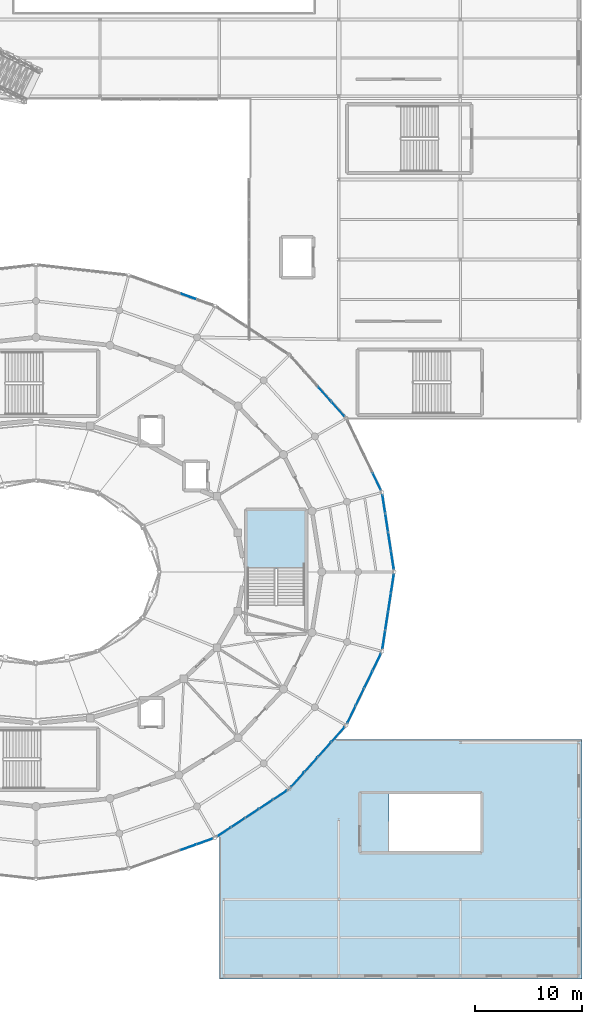
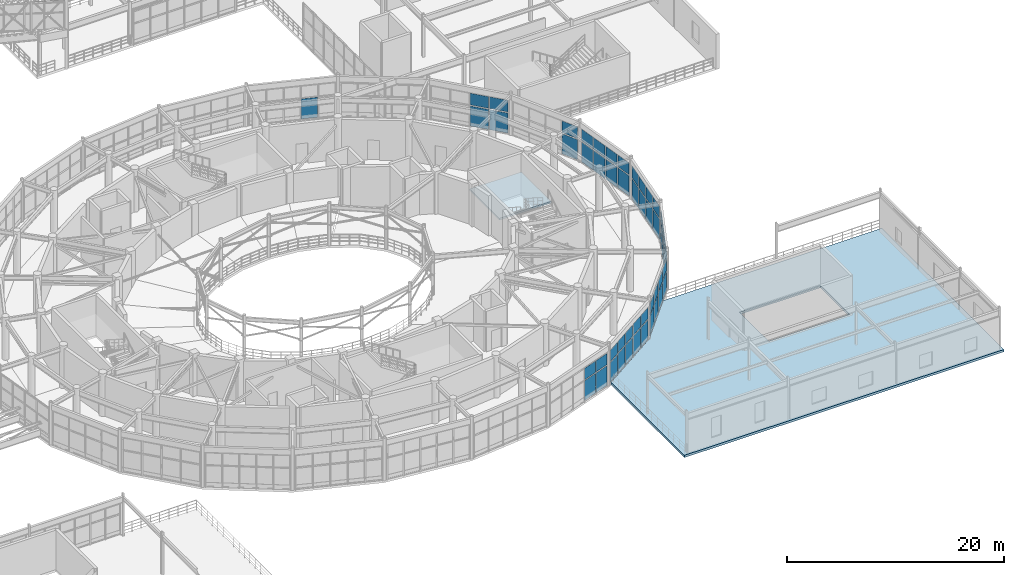
# One storey, part 90 of 144: 53 plates, 2 slabs, 10 elements without a shape of their own.
"""IFC4 building model written with IfcOpenShell, lengths in metres."""

import ifcopenshell
import ifcopenshell.guid

model = None  # the IFC model being written
_history = None  # IfcOwnerHistory: only IFC2X3 demands one
_inside = {}  # id of a spatial element -> (the spatial element, [elements in it])
_under = {}  # id of a project, library or spatial element -> (it, [spatial elements below it])
_declared = {}  # id of a project -> (the project, [libraries it declares])
_typed = {}  # id of a type object -> (the type object, [elements of that type])
_made_of = {}  # id of a material, layer set ... -> (it, [elements and type objects made of it])


def new_model(schema):
    """Start an empty IFC model of exactly this schema.

    Asked for "IFC4X3", IfcOpenShell would pick the latest addendum, in which some entities
    have other attributes; the version numbers below select the first issue.
    IFC2X3 requires an IfcOwnerHistory on every rooted entity: one is made here for all.
    """
    global model, _history
    if schema == "IFC4X3":
        model = ifcopenshell.file(schema_version=(4, 3, 0, 0))
    else:
        model = ifcopenshell.file(schema=schema)
    _inside.clear()
    _under.clear()
    _declared.clear()
    _typed.clear()
    _made_of.clear()
    _history = None
    if model.schema == "IFC2X3":
        org = make("IfcOrganization", Name="unknown")
        user = make(
            "IfcPersonAndOrganization",
            ThePerson=make("IfcPerson", FamilyName="unknown"),
            TheOrganization=org,
        )
        app = make(
            "IfcApplication",
            ApplicationDeveloper=org,
            Version="unknown",
            ApplicationFullName="unknown",
            ApplicationIdentifier="unknown",
        )
        _history = make(
            "IfcOwnerHistory",
            OwningUser=user,
            OwningApplication=app,
            ChangeAction="ADDED",
            CreationDate=0,
        )
    return model


def make(cls, **values):
    """One entity of the class cls with the attributes given. An attribute that is None is left unset."""
    return model.create_entity(
        cls, **{name: value for name, value in values.items() if value is not None}
    )


def rooted(cls, **values):
    """An entity with a GlobalId (a new one), such as an element, a storey or a relation."""
    return make(cls, GlobalId=ifcopenshell.guid.new(), OwnerHistory=_history, **values)


def si_unit(unit_type, name, prefix=None):
    """IfcSIUnit, for example si_unit("LENGTHUNIT", "METRE", prefix="MILLI")."""
    return make("IfcSIUnit", UnitType=unit_type, Prefix=prefix, Name=name)


def assignment(units):
    """IfcUnitAssignment: the units of a project."""
    return None if units is None else make("IfcUnitAssignment", Units=units)


def point(xyz):
    """IfcCartesianPoint."""
    return None if xyz is None else make("IfcCartesianPoint", Coordinates=xyz)


def direction(xyz):
    """IfcDirection."""
    return None if xyz is None else make("IfcDirection", DirectionRatios=xyz)


def frame(location, z_axis=None, x_axis=None):
    """IfcAxis2Placement3D, a coordinate frame: its origin and axes. An axis left out is left unset."""
    return make(
        "IfcAxis2Placement3D",
        Location=point(location),
        Axis=direction(z_axis),
        RefDirection=direction(x_axis),
    )


def frame_2d(location, x_axis=None):
    """IfcAxis2Placement2D, a coordinate frame in the plane: its origin and x axis."""
    return make(
        "IfcAxis2Placement2D", Location=point(location), RefDirection=direction(x_axis)
    )


def origin():
    """The frame at (0, 0, 0) with its axes left unset."""
    return frame((0.0, 0.0, 0.0))


def origin_2d():
    """The frame at (0, 0) in the plane with its x axis left unset."""
    return frame_2d((0.0, 0.0))


def place(relative_to, where):
    """IfcLocalPlacement: puts the frame where relative to a parent placement (None: the world)."""
    return make(
        "IfcLocalPlacement", PlacementRelTo=relative_to, RelativePlacement=where
    )


def context(
    kind, dimensions, precision=None, world=None, true_north=None, identifier=None
):
    """IfcGeometricRepresentationContext, for example the 3D "Model" context."""
    return make(
        "IfcGeometricRepresentationContext",
        ContextIdentifier=identifier,
        ContextType=kind,
        CoordinateSpaceDimension=dimensions,
        Precision=precision,
        WorldCoordinateSystem=world,
        TrueNorth=true_north,
    )


def subcontext(parent, identifier, kind, view, scale=None):
    """IfcGeometricRepresentationSubContext, for example "Body" below "Model"."""
    return make(
        "IfcGeometricRepresentationSubContext",
        ContextIdentifier=identifier,
        ContextType=kind,
        ParentContext=parent,
        TargetScale=scale,
        TargetView=view,
    )


def project(units=None, contexts=None):
    """IfcProject with its units and contexts."""
    return rooted(
        "IfcProject",
        Name="project",
        RepresentationContexts=contexts,
        UnitsInContext=assignment(units),
    )


def spatial(cls, under=None, at=None, **own):
    """A site, building, storey or space (cls), placed at a placement, below another one or the project."""
    s = rooted(cls, ObjectPlacement=at, **own)
    if under is not None:
        _under.setdefault(under.id(), (under, []))[1].append(s)
    return s


def polyline(points):
    """IfcPolyline through the points."""
    return make("IfcPolyline", Points=[point(p) for p in points])


def profile(cls, at=None, kind="AREA", **sizes):
    """A parametric profile (cls). Its sizes go by their IFC names, for example OverallWidth=200.0."""
    return make(cls, ProfileType=kind, Position=at, **sizes)


def rectangle(**sizes):
    """IfcRectangleProfileDef."""
    return profile("IfcRectangleProfileDef", **sizes)


def outline(outer, holes=None, kind="AREA"):
    """IfcArbitraryClosedProfileDef: a profile drawn as a closed curve; with holes, ...WithVoids."""
    if holes is None:
        return make("IfcArbitraryClosedProfileDef", ProfileType=kind, OuterCurve=outer)
    return make(
        "IfcArbitraryProfileDefWithVoids",
        ProfileType=kind,
        OuterCurve=outer,
        InnerCurves=holes,
    )


def extrude(swept, where, along, depth):
    """IfcExtrudedAreaSolid: the profile swept, set in the frame where, extruded along a direction by depth."""
    return make(
        "IfcExtrudedAreaSolid",
        SweptArea=swept,
        Position=where,
        ExtrudedDirection=direction(along),
        Depth=depth,
    )


def shape(context_of_items, identifier, shape_type, items):
    """IfcShapeRepresentation: the items that make up one representation, for example the "Body"."""
    return make(
        "IfcShapeRepresentation",
        ContextOfItems=context_of_items,
        RepresentationIdentifier=identifier,
        RepresentationType=shape_type,
        Items=items,
    )


def material(Name=None, Category=None):
    """IfcMaterial."""
    return make("IfcMaterial", Name=Name, Category=Category)


def layer(
    of_material, thickness, ventilated=None, Name=None, Category=None, Priority=None
):
    """IfcMaterialLayer: one layer of a wall or slab, of a material (None: an air gap)."""
    return make(
        "IfcMaterialLayer",
        Material=of_material,
        LayerThickness=thickness,
        IsVentilated=ventilated,
        Name=Name,
        Category=Category,
        Priority=Priority,
    )


def layer_set(layers, Name=None):
    """IfcMaterialLayerSet."""
    return make("IfcMaterialLayerSet", MaterialLayers=layers, LayerSetName=Name)


def made_of(thing, what):
    """Note that an element or type object is made of a material, layer set ...; save() writes the relation."""
    if what is not None:
        _made_of.setdefault(what.id(), (what, []))[1].append(thing)
    return thing


def type_object(cls, material=None, **own):
    """A type object (cls), such as IfcWallType, which elements share."""
    return made_of(rooted(cls, **own), material)


def element(
    cls,
    number,
    at=None,
    inside=None,
    cuts=None,
    type_object=None,
    material=None,
    context=None,
    identifier="Body",
    shape_type=None,
    held_by="IfcProductDefinitionShape",
    body=None,
    shapes=None,
    **own,
):
    """One element of the class cls, such as IfcWall. Its Tag is "e" and its number.

    at: its placement. inside: the storey or other place that contains it. cuts: it is an
    opening in that element (IfcRelVoidsElement). A single representation is given by context,
    identifier, shape_type and body (its items); several are given by shapes. held_by: the class
    of the entity that holds the representations. save() writes the other relations.
    """
    e = rooted(cls, Tag="e%d" % number, ObjectPlacement=at, **own)
    if body is not None:
        shapes = [shape(context, identifier, shape_type, body)]
    if shapes is not None:
        e.Representation = make(held_by, Representations=shapes)
    if inside is not None:
        _inside.setdefault(inside.id(), (inside, []))[1].append(e)
    if cuts is not None:
        rooted(
            "IfcRelVoidsElement", RelatingBuildingElement=cuts, RelatedOpeningElement=e
        )
    if type_object is not None:
        _typed.setdefault(type_object.id(), (type_object, []))[1].append(e)
    return made_of(e, material)


def aggregate(whole, parts):
    """IfcRelAggregates: a whole, such as a stair, and the parts it consists of."""
    return rooted("IfcRelAggregates", RelatingObject=whole, RelatedObjects=parts)


def save(model, path):
    """Write the relations noted so far, then the file.

    IfcRelAggregates (storeys below a building ...), IfcRelContainedInSpatialStructure (elements
    in a storey), IfcRelDefinesByType, IfcRelAssociatesMaterial and IfcRelDeclares: one each for
    every whole, place, type object, material and project.
    """
    for whole, parts in _under.values():
        aggregate(whole, parts)
    for where, things in _inside.values():
        rooted(
            "IfcRelContainedInSpatialStructure",
            RelatedElements=things,
            RelatingStructure=where,
        )
    for kind, things in _typed.values():
        rooted("IfcRelDefinesByType", RelatedObjects=things, RelatingType=kind)
    for what, things in _made_of.values():
        rooted("IfcRelAssociatesMaterial", RelatedObjects=things, RelatingMaterial=what)
    for by, libraries in _declared.values():
        rooted("IfcRelDeclares", RelatingContext=by, RelatedDefinitions=libraries)
    model.write(path)


model = new_model("IFC4")

# Units and contexts
model_context = context("Model", 3, precision=1e-05, world=origin(), true_north=direction((0.0, 1.0)))
body_context = subcontext(model_context, "Body", "Model", "MODEL_VIEW")
ifc_project = project(units=[si_unit("LENGTHUNIT", "METRE"), si_unit("AREAUNIT", "SQUARE_METRE"), si_unit("VOLUMEUNIT", "CUBIC_METRE"), si_unit("PLANEANGLEUNIT", "RADIAN"), si_unit("MASSUNIT", "GRAM", prefix="KILO")], contexts=[model_context])

# Site, building, storey
site_placement = place(None, origin())
site = spatial("IfcSite", under=ifc_project, at=site_placement, CompositionType="ELEMENT")
building_placement = place(site_placement, origin())
building = spatial("IfcBuilding", under=site, at=building_placement, Name="Cinderbank Siding Concert Hall", CompositionType="ELEMENT")
storey_placement = place(building_placement, frame((0.0, 0.0, 5.39990234375)))
storey = spatial("IfcBuildingStorey", under=building, at=storey_placement, Name="L02", CompositionType="ELEMENT", Elevation=5.39990234375)

# Curtain wall, plates
ifc_material_1 = material(Name="Anodised aluminium alloy 6063-T6", Category="aluminium")
curtain_wall_type_1 = type_object("IfcCurtainWallType", Name="CW-12 Unitised Acoustic Curtain Wall 5800x3500", PredefinedType="NOTDEFINED", material=ifc_material_1)
curtain_wall_1_placement = place(storey_placement, origin())
curtain_wall_1 = element("IfcCurtainWall", 1, at=curtain_wall_1_placement, inside=storey, type_object=curtain_wall_type_1, Name="L02 Curtain Wall CW-12 #24", PredefinedType="NOTDEFINED")
ifc_material_2 = material(Name="Double-glazed laminated acoustic glass", Category="glass")
ifc_layer_1 = layer(ifc_material_2, 0.035888671875)
ifc_layer_set_1 = layer_set([ifc_layer_1], Name="Double-glazed laminated acoustic glass")
plate_type_1 = type_object("IfcPlateType", Name="CP-01 Glazed Curtain Panel 1800x2200", PredefinedType="CURTAIN_PANEL", material=ifc_layer_set_1)
plate_1_placement = place(storey_placement, frame((154.6240234375, 37.64599609375, 0.1201171875), z_axis=(0.0, 0.0, 1.0), x_axis=(0.151815048473, 0.988408918949, 0.0)))
plate_1 = element("IfcPlate", 2, at=plate_1_placement, type_object=plate_type_1, Name="CW-L02-024 Glazed Panel 0-0", PredefinedType="CURTAIN_PANEL", context=body_context, shape_type="SweptSolid", body=[
    extrude(rectangle(XDim=1.671875, YDim=0.035888671875, at=origin_2d()), origin(), (0.0, 0.0, 1.0), 2.26708984375),
])
plate_2_placement = place(storey_placement, frame((154.6240234375, 37.64599609375, 2.50732421875), z_axis=(0.0, 0.0, 1.0), x_axis=(0.151815048473, 0.988408918949, 0.0)))
plate_2 = element("IfcPlate", 3, at=plate_2_placement, type_object=plate_type_1, Name="CW-L02-024 Glazed Panel 0-1", PredefinedType="CURTAIN_PANEL", context=body_context, shape_type="SweptSolid", body=[
    extrude(rectangle(XDim=1.671875, YDim=0.035888671875, at=origin_2d()), origin(), (0.0, 0.0, 1.0), 1.31982421875),
])
plate_3_placement = place(storey_placement, frame((154.89306640625, 39.397216796875, 0.1201171875), z_axis=(0.0, 0.0, 1.0), x_axis=(0.151815048473, 0.988408918949, 0.0)))
plate_3 = element("IfcPlate", 4, at=plate_3_placement, type_object=plate_type_1, Name="CW-L02-024 Glazed Panel 1-0", PredefinedType="CURTAIN_PANEL", context=body_context, shape_type="SweptSolid", body=[
    extrude(rectangle(XDim=1.671875, YDim=0.035888671875, at=origin_2d()), origin(), (0.0, 0.0, 1.0), 2.26708984375),
])
plate_4_placement = place(storey_placement, frame((154.89306640625, 39.397216796875, 2.50732421875), z_axis=(0.0, 0.0, 1.0), x_axis=(0.151815048473, 0.988408918949, 0.0)))
plate_4 = element("IfcPlate", 5, at=plate_4_placement, type_object=plate_type_1, Name="CW-L02-024 Glazed Panel 1-1", PredefinedType="CURTAIN_PANEL", context=body_context, shape_type="SweptSolid", body=[
    extrude(rectangle(XDim=1.671875, YDim=0.035888671875, at=origin_2d()), origin(), (0.0, 0.0, 1.0), 1.31982421875),
])
plate_5_placement = place(storey_placement, frame((155.162109375, 41.148681640625, 0.1201171875), z_axis=(0.0, 0.0, 1.0), x_axis=(0.151815048473, 0.988408918949, 0.0)))
plate_5 = element("IfcPlate", 6, at=plate_5_placement, type_object=plate_type_1, Name="CW-L02-024 Glazed Panel 2-0", PredefinedType="CURTAIN_PANEL", context=body_context, shape_type="SweptSolid", body=[
    extrude(rectangle(XDim=1.671875, YDim=0.035888671875, at=origin_2d()), origin(), (0.0, 0.0, 1.0), 2.26708984375),
])
plate_6_placement = place(storey_placement, frame((155.162109375, 41.148681640625, 2.50732421875), z_axis=(0.0, 0.0, 1.0), x_axis=(0.151815048473, 0.988408918949, 0.0)))
plate_6 = element("IfcPlate", 7, at=plate_6_placement, type_object=plate_type_1, Name="CW-L02-024 Glazed Panel 2-1", PredefinedType="CURTAIN_PANEL", context=body_context, shape_type="SweptSolid", body=[
    extrude(rectangle(XDim=1.671875, YDim=0.035888671875, at=origin_2d()), origin(), (0.0, 0.0, 1.0), 1.31982421875),
])
plate_7_placement = place(storey_placement, frame((155.430908203125, 42.89990234375, 0.1201171875), z_axis=(0.0, 0.0, 1.0), x_axis=(0.151815048473, 0.988408918949, 0.0)))
plate_7 = element("IfcPlate", 8, at=plate_7_placement, type_object=plate_type_1, Name="CW-L02-024 Glazed Panel 3-0", PredefinedType="CURTAIN_PANEL", context=body_context, shape_type="SweptSolid", body=[
    extrude(rectangle(XDim=1.671875, YDim=0.035888671875, at=origin_2d()), origin(), (0.0, 0.0, 1.0), 2.26708984375),
])
plate_8_placement = place(storey_placement, frame((155.430908203125, 42.89990234375, 2.50732421875), z_axis=(0.0, 0.0, 1.0), x_axis=(0.151815048473, 0.988408918949, 0.0)))
plate_8 = element("IfcPlate", 9, at=plate_8_placement, type_object=plate_type_1, Name="CW-L02-024 Glazed Panel 3-1", PredefinedType="CURTAIN_PANEL", context=body_context, shape_type="SweptSolid", body=[
    extrude(rectangle(XDim=1.671875, YDim=0.035888671875, at=origin_2d()), origin(), (0.0, 0.0, 1.0), 1.31982421875),
])
aggregate(curtain_wall_1, [plate_1, plate_2, plate_3, plate_4, plate_5, plate_6, plate_7, plate_8])

curtain_wall_type_2 = type_object("IfcCurtainWallType", Name="CW-01 Unitised Acoustic Curtain Wall 8200x4400", PredefinedType="NOTDEFINED", material=ifc_material_1)
curtain_wall_2_placement = place(storey_placement, origin())
curtain_wall_2 = element("IfcCurtainWall", 10, at=curtain_wall_2_placement, inside=storey, type_object=curtain_wall_type_2, Name="L02 Curtain Wall CW-01 #1", PredefinedType="NOTDEFINED")
ifc_layer_2 = layer(ifc_material_2, 0.035888671875)
ifc_layer_set_2 = layer_set([ifc_layer_2], Name="Double-glazed laminated acoustic glass")
plate_type_2 = type_object("IfcPlateType", Name="CP-02 Glazed Curtain Panel 1800x1900", PredefinedType="CURTAIN_PANEL", material=ifc_layer_set_2)
plate_9_placement = place(storey_placement, frame((155.430908203125, 45.10009765625, 0.1201171875), z_axis=(0.0, 0.0, 1.0), x_axis=(-0.151815048473, 0.988408918949, 0.0)))
plate_9 = element("IfcPlate", 11, at=plate_9_placement, type_object=plate_type_2, Name="CW-L02-001 Glazed Panel 0-0", PredefinedType="CURTAIN_PANEL", context=body_context, shape_type="SweptSolid", body=[
    extrude(rectangle(XDim=1.671875, YDim=0.035888671875, at=origin_2d()), origin(), (0.0, 0.0, 1.0), 2.260986328125),
])
plate_10_placement = place(storey_placement, frame((155.430908203125, 45.10009765625, 2.5009765625), z_axis=(0.0, 0.0, 1.0), x_axis=(-0.151815048473, 0.988408918949, 0.0)))
plate_10 = element("IfcPlate", 12, at=plate_10_placement, type_object=plate_type_2, Name="CW-L02-001 Glazed Panel 0-1", PredefinedType="CURTAIN_PANEL", context=body_context, shape_type="SweptSolid", body=[
    extrude(rectangle(XDim=1.671875, YDim=0.035888671875, at=origin_2d()), origin(), (0.0, 0.0, 1.0), 1.316162109375),
])
plate_11_placement = place(storey_placement, frame((155.162109375, 46.851318359375, 0.1201171875), z_axis=(0.0, 0.0, 1.0), x_axis=(-0.151815048473, 0.988408918949, 0.0)))
plate_11 = element("IfcPlate", 13, at=plate_11_placement, type_object=plate_type_2, Name="CW-L02-001 Glazed Panel 1-0", PredefinedType="CURTAIN_PANEL", context=body_context, shape_type="SweptSolid", body=[
    extrude(rectangle(XDim=1.671875, YDim=0.035888671875, at=origin_2d()), origin(), (0.0, 0.0, 1.0), 2.260986328125),
])
plate_12_placement = place(storey_placement, frame((155.162109375, 46.851318359375, 2.5009765625), z_axis=(0.0, 0.0, 1.0), x_axis=(-0.151815048473, 0.988408918949, 0.0)))
plate_12 = element("IfcPlate", 14, at=plate_12_placement, type_object=plate_type_2, Name="CW-L02-001 Glazed Panel 1-1", PredefinedType="CURTAIN_PANEL", context=body_context, shape_type="SweptSolid", body=[
    extrude(rectangle(XDim=1.671875, YDim=0.035888671875, at=origin_2d()), origin(), (0.0, 0.0, 1.0), 1.316162109375),
])
plate_13_placement = place(storey_placement, frame((154.89306640625, 48.602783203125, 0.1201171875), z_axis=(0.0, 0.0, 1.0), x_axis=(-0.151815048473, 0.988408918949, 0.0)))
plate_13 = element("IfcPlate", 15, at=plate_13_placement, type_object=plate_type_2, Name="CW-L02-001 Glazed Panel 2-0", PredefinedType="CURTAIN_PANEL", context=body_context, shape_type="SweptSolid", body=[
    extrude(rectangle(XDim=1.671875, YDim=0.035888671875, at=origin_2d()), origin(), (0.0, 0.0, 1.0), 2.260986328125),
])
plate_14_placement = place(storey_placement, frame((154.89306640625, 48.602783203125, 2.5009765625), z_axis=(0.0, 0.0, 1.0), x_axis=(-0.151815048473, 0.988408918949, 0.0)))
plate_14 = element("IfcPlate", 16, at=plate_14_placement, type_object=plate_type_2, Name="CW-L02-001 Glazed Panel 2-1", PredefinedType="CURTAIN_PANEL", context=body_context, shape_type="SweptSolid", body=[
    extrude(rectangle(XDim=1.671875, YDim=0.035888671875, at=origin_2d()), origin(), (0.0, 0.0, 1.0), 1.316162109375),
])
plate_15_placement = place(storey_placement, frame((154.6240234375, 50.35400390625, 0.1201171875), z_axis=(0.0, 0.0, 1.0), x_axis=(-0.151815048473, 0.988408918949, 0.0)))
plate_15 = element("IfcPlate", 17, at=plate_15_placement, type_object=plate_type_2, Name="CW-L02-001 Glazed Panel 3-0", PredefinedType="CURTAIN_PANEL", context=body_context, shape_type="SweptSolid", body=[
    extrude(rectangle(XDim=1.671875, YDim=0.035888671875, at=origin_2d()), origin(), (0.0, 0.0, 1.0), 2.260986328125),
])
plate_16_placement = place(storey_placement, frame((154.6240234375, 50.35400390625, 2.5009765625), z_axis=(0.0, 0.0, 1.0), x_axis=(-0.151815048473, 0.988408918949, 0.0)))
plate_16 = element("IfcPlate", 18, at=plate_16_placement, type_object=plate_type_2, Name="CW-L02-001 Glazed Panel 3-1", PredefinedType="CURTAIN_PANEL", context=body_context, shape_type="SweptSolid", body=[
    extrude(rectangle(XDim=1.671875, YDim=0.035888671875, at=origin_2d()), origin(), (0.0, 0.0, 1.0), 1.316162109375),
])
aggregate(curtain_wall_2, [plate_9, plate_10, plate_11, plate_12, plate_13, plate_14, plate_15, plate_16])

curtain_wall_type_3 = type_object("IfcCurtainWallType", Name="CW-02 Unitised Acoustic Curtain Wall 7800x4400", PredefinedType="NOTDEFINED", material=ifc_material_1)
curtain_wall_3_placement = place(storey_placement, origin())
curtain_wall_3 = element("IfcCurtainWall", 19, at=curtain_wall_3_placement, inside=storey, type_object=curtain_wall_type_3, Name="L02 Curtain Wall CW-02 #2", PredefinedType="NOTDEFINED")
ifc_layer_3 = layer(ifc_material_2, 0.035888671875)
ifc_layer_set_3 = layer_set([ifc_layer_3], Name="Double-glazed laminated acoustic glass")
plate_type_3 = type_object("IfcPlateType", Name="CP-03 Glazed Curtain Panel 1600x2100", PredefinedType="CURTAIN_PANEL", material=ifc_layer_set_3)
plate_17_placement = place(storey_placement, frame((153.96142578125, 52.4755859375, 0.1201171875), z_axis=(0.0, 0.0, 1.0), x_axis=(-0.435102109714, 0.900381116041, 0.0)))
plate_17 = element("IfcPlate", 20, at=plate_17_placement, type_object=plate_type_3, Name="CW-L02-002 Glazed Panel 0-0", PredefinedType="CURTAIN_PANEL", context=body_context, shape_type="SweptSolid", body=[
    extrude(rectangle(XDim=1.715087890625, YDim=0.035888671875, at=origin_2d()), origin(), (0.0, 0.0, 1.0), 2.260986328125),
])
plate_18_placement = place(storey_placement, frame((153.96142578125, 52.4755859375, 2.5009765625), z_axis=(0.0, 0.0, 1.0), x_axis=(-0.435102109714, 0.900381116041, 0.0)))
plate_18 = element("IfcPlate", 21, at=plate_18_placement, type_object=plate_type_3, Name="CW-L02-002 Glazed Panel 0-1", PredefinedType="CURTAIN_PANEL", context=body_context, shape_type="SweptSolid", body=[
    extrude(rectangle(XDim=1.715087890625, YDim=0.035888671875, at=origin_2d()), origin(), (0.0, 0.0, 1.0), 1.316162109375),
])
aggregate(curtain_wall_3, [plate_17, plate_18])

curtain_wall_type_4 = type_object("IfcCurtainWallType", Name="CW-03 Unitised Acoustic Curtain Wall 7400x4400", PredefinedType="NOTDEFINED", material=ifc_material_1)
curtain_wall_4_placement = place(storey_placement, origin())
curtain_wall_4 = element("IfcCurtainWall", 22, at=curtain_wall_4_placement, inside=storey, type_object=curtain_wall_type_4, Name="L02 Curtain Wall CW-03 #3", PredefinedType="NOTDEFINED")
ifc_layer_4 = layer(ifc_material_2, 0.031982421875)
ifc_layer_set_4 = layer_set([ifc_layer_4], Name="Double-glazed laminated acoustic glass")
plate_type_4 = type_object("IfcPlateType", Name="CP-04 Glazed Curtain Panel 1400x2000", PredefinedType="CURTAIN_PANEL", material=ifc_layer_set_4)
plate_19_placement = place(storey_placement, frame((150.3173828125, 59.2724609375, 0.1201171875), z_axis=(0.0, 0.0, 1.0), x_axis=(-0.666993465338, 0.745063565877, 0.0)))
plate_19 = element("IfcPlate", 23, at=plate_19_placement, type_object=plate_type_4, Name="CW-L02-003 Glazed Panel 0-0", PredefinedType="CURTAIN_PANEL", context=body_context, shape_type="SweptSolid", body=[
    extrude(rectangle(XDim=1.787841796875, YDim=0.035888671875, at=origin_2d()), origin(), (0.0, 0.0, 1.0), 2.260986328125),
])
plate_20_placement = place(storey_placement, frame((150.3173828125, 59.2724609375, 2.5009765625), z_axis=(0.0, 0.0, 1.0), x_axis=(-0.666993465338, 0.745063565877, 0.0)))
plate_20 = element("IfcPlate", 24, at=plate_20_placement, type_object=plate_type_4, Name="CW-L02-003 Glazed Panel 0-1", PredefinedType="CURTAIN_PANEL", context=body_context, shape_type="SweptSolid", body=[
    extrude(rectangle(XDim=1.787841796875, YDim=0.035888671875, at=origin_2d()), origin(), (0.0, 0.0, 1.0), 1.316162109375),
])
plate_21_placement = place(storey_placement, frame((149.058349609375, 60.678955078125, 0.1201171875), z_axis=(0.0, 0.0, 1.0), x_axis=(-0.666993465338, 0.745063565877, 0.0)))
plate_21 = element("IfcPlate", 25, at=plate_21_placement, type_object=plate_type_4, Name="CW-L02-003 Glazed Panel 1-0", PredefinedType="CURTAIN_PANEL", context=body_context, shape_type="SweptSolid", body=[
    extrude(rectangle(XDim=1.787841796875, YDim=0.035888671875, at=origin_2d()), origin(), (0.0, 0.0, 1.0), 2.260986328125),
])
plate_22_placement = place(storey_placement, frame((149.058349609375, 60.678955078125, 2.5009765625), z_axis=(0.0, 0.0, 1.0), x_axis=(-0.666993465338, 0.745063565877, 0.0)))
plate_22 = element("IfcPlate", 26, at=plate_22_placement, type_object=plate_type_4, Name="CW-L02-003 Glazed Panel 1-1", PredefinedType="CURTAIN_PANEL", context=body_context, shape_type="SweptSolid", body=[
    extrude(rectangle(XDim=1.787841796875, YDim=0.035888671875, at=origin_2d()), origin(), (0.0, 0.0, 1.0), 1.316162109375),
])
aggregate(curtain_wall_4, [plate_19, plate_20, plate_21, plate_22])

curtain_wall_type_5 = type_object("IfcCurtainWallType", Name="CW-08 Unitised Acoustic Curtain Wall 6400x3800", PredefinedType="NOTDEFINED", material=ifc_material_1)
curtain_wall_5_placement = place(storey_placement, origin())
curtain_wall_5 = element("IfcCurtainWall", 27, at=curtain_wall_5_placement, inside=storey, type_object=curtain_wall_type_5, Name="L02 Curtain Wall CW-08 #20", PredefinedType="NOTDEFINED")
ifc_layer_5 = layer(ifc_material_2, 0.031982421875)
ifc_layer_set_5 = layer_set([ifc_layer_5], Name="Double-glazed laminated acoustic glass")
plate_type_5 = type_object("IfcPlateType", Name="CP-05 Glazed Curtain Panel 1200x1800", PredefinedType="CURTAIN_PANEL", material=ifc_layer_set_5)
plate_23_placement = place(storey_placement, frame((136.283203125, 18.1650390625, 0.1201171875), z_axis=(0.0, 0.0, 1.0), x_axis=(0.942365662238, 0.334584755532, 0.0)))
plate_23 = element("IfcPlate", 28, at=plate_23_placement, type_object=plate_type_5, Name="CW-L02-020 Glazed Panel 3-0", PredefinedType="CURTAIN_PANEL", context=body_context, shape_type="SweptSolid", body=[
    extrude(rectangle(XDim=1.529052734375, YDim=0.035888671875, at=origin_2d()), origin(), (0.0, 0.0, 1.0), 2.198974609375),
])
plate_24_placement = place(storey_placement, frame((136.283203125, 18.1650390625, 2.43896484375), z_axis=(0.0, 0.0, 1.0), x_axis=(0.942365662238, 0.334584755532, 0.0)))
plate_24 = element("IfcPlate", 29, at=plate_24_placement, type_object=plate_type_5, Name="CW-L02-020 Glazed Panel 3-1", PredefinedType="CURTAIN_PANEL", context=body_context, shape_type="SweptSolid", body=[
    extrude(rectangle(XDim=1.529052734375, YDim=0.035888671875, at=origin_2d()), origin(), (0.0, 0.0, 1.0), 1.278076171875),
])
plate_25_placement = place(storey_placement, frame((137.818603515625, 18.7099609375, 0.1201171875), z_axis=(0.0, 0.0, 1.0), x_axis=(0.942365662238, 0.334584755532, 0.0)))
plate_25 = element("IfcPlate", 30, at=plate_25_placement, type_object=plate_type_5, Name="CW-L02-020 Glazed Panel 4-0", PredefinedType="CURTAIN_PANEL", context=body_context, shape_type="SweptSolid", body=[
    extrude(rectangle(XDim=1.529052734375, YDim=0.035888671875, at=origin_2d()), origin(), (0.0, 0.0, 1.0), 2.198974609375),
])
plate_26_placement = place(storey_placement, frame((137.818603515625, 18.7099609375, 2.43896484375), z_axis=(0.0, 0.0, 1.0), x_axis=(0.942365662238, 0.334584755532, 0.0)))
plate_26 = element("IfcPlate", 31, at=plate_26_placement, type_object=plate_type_5, Name="CW-L02-020 Glazed Panel 4-1", PredefinedType="CURTAIN_PANEL", context=body_context, shape_type="SweptSolid", body=[
    extrude(rectangle(XDim=1.529052734375, YDim=0.035888671875, at=origin_2d()), origin(), (0.0, 0.0, 1.0), 1.278076171875),
])
aggregate(curtain_wall_5, [plate_23, plate_24, plate_25, plate_26])

# Curtain wall, plate
curtain_wall_type_6 = type_object("IfcCurtainWallType", Name="CW-05 Unitised Acoustic Curtain Wall 8200x3800", PredefinedType="NOTDEFINED", material=ifc_material_1)
curtain_wall_6_placement = place(storey_placement, origin())
curtain_wall_6 = element("IfcCurtainWall", 32, at=curtain_wall_6_placement, inside=storey, type_object=curtain_wall_type_6, Name="L02 Curtain Wall CW-05 #5", PredefinedType="NOTDEFINED")
ifc_layer_6 = layer(ifc_material_2, 0.0380859375)
ifc_layer_set_6 = layer_set([ifc_layer_6], Name="Double-glazed laminated acoustic glass")
plate_type_6 = type_object("IfcPlateType", Name="CP-06 Glazed Curtain Panel 2100x1600", PredefinedType="CURTAIN_PANEL", material=ifc_layer_set_6)
plate_27_placement = place(storey_placement, frame((136.283203125, 69.8349609375, 0.1201171875), z_axis=(0.0, 0.0, 1.0), x_axis=(-0.942365662238, 0.334584755532, 0.0)))
plate_27 = element("IfcPlate", 33, at=plate_27_placement, type_object=plate_type_6, Name="CW-L02-005 Glazed Panel 1-0", PredefinedType="CURTAIN_PANEL", context=body_context, shape_type="SweptSolid", body=[
    extrude(rectangle(XDim=1.529052734375, YDim=0.035888671875, at=origin_2d()), origin(), (0.0, 0.0, 1.0), 2.260986328125),
])
aggregate(curtain_wall_6, [plate_27])

# Curtain wall, plates
curtain_wall_type_7 = type_object("IfcCurtainWallType", Name="CW-09 Unitised Acoustic Curtain Wall 8000x3500", PredefinedType="NOTDEFINED", material=ifc_material_1)
curtain_wall_7_placement = place(storey_placement, origin())
curtain_wall_7 = element("IfcCurtainWall", 34, at=curtain_wall_7_placement, inside=storey, type_object=curtain_wall_type_7, Name="L02 Curtain Wall CW-09 #21", PredefinedType="NOTDEFINED")
plate_28_placement = place(storey_placement, frame((139.647705078125, 19.615966796875, 0.1201171875), z_axis=(0.0, 0.0, 1.0), x_axis=(0.835491932304, 0.549502712509, 0.0)))
plate_28 = element("IfcPlate", 35, at=plate_28_placement, type_object=plate_type_6, Name="CW-L02-021 Glazed Panel 0-0", PredefinedType="CURTAIN_PANEL", context=body_context, shape_type="SweptSolid", body=[
    extrude(rectangle(XDim=1.47509765625, YDim=0.035888671875, at=origin_2d()), origin(), (0.0, 0.0, 1.0), 2.198974609375),
])
plate_29_placement = place(storey_placement, frame((139.647705078125, 19.615966796875, 2.43896484375), z_axis=(0.0, 0.0, 1.0), x_axis=(0.835491932304, 0.549502712509, 0.0)))
plate_29 = element("IfcPlate", 36, at=plate_29_placement, type_object=plate_type_6, Name="CW-L02-021 Glazed Panel 0-1", PredefinedType="CURTAIN_PANEL", context=body_context, shape_type="SweptSolid", body=[
    extrude(rectangle(XDim=1.47509765625, YDim=0.035888671875, at=origin_2d()), origin(), (0.0, 0.0, 1.0), 1.278076171875),
])
plate_30_placement = place(storey_placement, frame((140.96337890625, 20.4814453125, 0.1201171875), z_axis=(0.0, 0.0, 1.0), x_axis=(0.835491932304, 0.549502712509, 0.0)))
plate_30 = element("IfcPlate", 37, at=plate_30_placement, type_object=plate_type_6, Name="CW-L02-021 Glazed Panel 1-0", PredefinedType="CURTAIN_PANEL", context=body_context, shape_type="SweptSolid", body=[
    extrude(rectangle(XDim=1.47509765625, YDim=0.035888671875, at=origin_2d()), origin(), (0.0, 0.0, 1.0), 2.198974609375),
])
plate_31_placement = place(storey_placement, frame((140.96337890625, 20.4814453125, 2.43896484375), z_axis=(0.0, 0.0, 1.0), x_axis=(0.835491932304, 0.549502712509, 0.0)))
plate_31 = element("IfcPlate", 38, at=plate_31_placement, type_object=plate_type_6, Name="CW-L02-021 Glazed Panel 1-1", PredefinedType="CURTAIN_PANEL", context=body_context, shape_type="SweptSolid", body=[
    extrude(rectangle(XDim=1.47509765625, YDim=0.035888671875, at=origin_2d()), origin(), (0.0, 0.0, 1.0), 1.278076171875),
])
plate_32_placement = place(storey_placement, frame((142.279296875, 21.346923828125, 0.1201171875), z_axis=(0.0, 0.0, 1.0), x_axis=(0.835491932304, 0.549502712509, 0.0)))
plate_32 = element("IfcPlate", 39, at=plate_32_placement, type_object=plate_type_6, Name="CW-L02-021 Glazed Panel 2-0", PredefinedType="CURTAIN_PANEL", context=body_context, shape_type="SweptSolid", body=[
    extrude(rectangle(XDim=1.47509765625, YDim=0.035888671875, at=origin_2d()), origin(), (0.0, 0.0, 1.0), 2.198974609375),
])
plate_33_placement = place(storey_placement, frame((142.279296875, 21.346923828125, 2.43896484375), z_axis=(0.0, 0.0, 1.0), x_axis=(0.835491932304, 0.549502712509, 0.0)))
plate_33 = element("IfcPlate", 40, at=plate_33_placement, type_object=plate_type_6, Name="CW-L02-021 Glazed Panel 2-1", PredefinedType="CURTAIN_PANEL", context=body_context, shape_type="SweptSolid", body=[
    extrude(rectangle(XDim=1.47509765625, YDim=0.035888671875, at=origin_2d()), origin(), (0.0, 0.0, 1.0), 1.278076171875),
])
plate_34_placement = place(storey_placement, frame((143.59521484375, 22.21240234375, 0.1201171875), z_axis=(0.0, 0.0, 1.0), x_axis=(0.835491932304, 0.549502712509, 0.0)))
plate_34 = element("IfcPlate", 41, at=plate_34_placement, type_object=plate_type_6, Name="CW-L02-021 Glazed Panel 3-0", PredefinedType="CURTAIN_PANEL", context=body_context, shape_type="SweptSolid", body=[
    extrude(rectangle(XDim=1.47509765625, YDim=0.035888671875, at=origin_2d()), origin(), (0.0, 0.0, 1.0), 2.198974609375),
])
plate_35_placement = place(storey_placement, frame((143.59521484375, 22.21240234375, 2.43896484375), z_axis=(0.0, 0.0, 1.0), x_axis=(0.835491932304, 0.549502712509, 0.0)))
plate_35 = element("IfcPlate", 42, at=plate_35_placement, type_object=plate_type_6, Name="CW-L02-021 Glazed Panel 3-1", PredefinedType="CURTAIN_PANEL", context=body_context, shape_type="SweptSolid", body=[
    extrude(rectangle(XDim=1.47509765625, YDim=0.035888671875, at=origin_2d()), origin(), (0.0, 0.0, 1.0), 1.278076171875),
])
plate_36_placement = place(storey_placement, frame((144.9111328125, 23.077880859375, 0.1201171875), z_axis=(0.0, 0.0, 1.0), x_axis=(0.835491932304, 0.549502712509, 0.0)))
plate_36 = element("IfcPlate", 43, at=plate_36_placement, type_object=plate_type_6, Name="CW-L02-021 Glazed Panel 4-0", PredefinedType="CURTAIN_PANEL", context=body_context, shape_type="SweptSolid", body=[
    extrude(rectangle(XDim=1.47509765625, YDim=0.035888671875, at=origin_2d()), origin(), (0.0, 0.0, 1.0), 2.198974609375),
])
plate_37_placement = place(storey_placement, frame((144.9111328125, 23.077880859375, 2.43896484375), z_axis=(0.0, 0.0, 1.0), x_axis=(0.835491932304, 0.549502712509, 0.0)))
plate_37 = element("IfcPlate", 44, at=plate_37_placement, type_object=plate_type_6, Name="CW-L02-021 Glazed Panel 4-1", PredefinedType="CURTAIN_PANEL", context=body_context, shape_type="SweptSolid", body=[
    extrude(rectangle(XDim=1.47509765625, YDim=0.035888671875, at=origin_2d()), origin(), (0.0, 0.0, 1.0), 1.278076171875),
])
aggregate(curtain_wall_7, [plate_28, plate_29, plate_30, plate_31, plate_32, plate_33, plate_34, plate_35, plate_36, plate_37])

curtain_wall_type_8 = type_object("IfcCurtainWallType", Name="CW-10 Unitised Acoustic Curtain Wall 7200x3500", PredefinedType="NOTDEFINED", material=ifc_material_1)
curtain_wall_8_placement = place(storey_placement, origin())
curtain_wall_8 = element("IfcCurtainWall", 45, at=curtain_wall_8_placement, inside=storey, type_object=curtain_wall_type_8, Name="L02 Curtain Wall CW-10 #22", PredefinedType="NOTDEFINED")
ifc_layer_7 = layer(ifc_material_2, 0.033935546875)
ifc_layer_set_7 = layer_set([ifc_layer_7], Name="Double-glazed laminated acoustic glass")
plate_type_7 = type_object("IfcPlateType", Name="CP-07 Glazed Curtain Panel 1500x1750", PredefinedType="CURTAIN_PANEL", material=ifc_layer_set_7)
plate_38_placement = place(storey_placement, frame((146.539794921875, 24.5078125, 0.1201171875), z_axis=(0.0, 0.0, 1.0), x_axis=(0.666993465338, 0.745063565877, 0.0)))
plate_38 = element("IfcPlate", 46, at=plate_38_placement, type_object=plate_type_7, Name="CW-L02-022 Glazed Panel 0-0", PredefinedType="CURTAIN_PANEL", context=body_context, shape_type="SweptSolid", body=[
    extrude(rectangle(XDim=1.787841796875, YDim=0.035888671875, at=origin_2d()), origin(), (0.0, 0.0, 1.0), 2.198974609375),
])
plate_39_placement = place(storey_placement, frame((146.539794921875, 24.5078125, 2.43896484375), z_axis=(0.0, 0.0, 1.0), x_axis=(0.666993465338, 0.745063565877, 0.0)))
plate_39 = element("IfcPlate", 47, at=plate_39_placement, type_object=plate_type_7, Name="CW-L02-022 Glazed Panel 0-1", PredefinedType="CURTAIN_PANEL", context=body_context, shape_type="SweptSolid", body=[
    extrude(rectangle(XDim=1.787841796875, YDim=0.035888671875, at=origin_2d()), origin(), (0.0, 0.0, 1.0), 1.278076171875),
])
plate_40_placement = place(storey_placement, frame((147.799072265625, 25.914306640625, 0.1201171875), z_axis=(0.0, 0.0, 1.0), x_axis=(0.666993465338, 0.745063565877, 0.0)))
plate_40 = element("IfcPlate", 48, at=plate_40_placement, type_object=plate_type_7, Name="CW-L02-022 Glazed Panel 1-0", PredefinedType="CURTAIN_PANEL", context=body_context, shape_type="SweptSolid", body=[
    extrude(rectangle(XDim=1.787841796875, YDim=0.035888671875, at=origin_2d()), origin(), (0.0, 0.0, 1.0), 2.198974609375),
])
plate_41_placement = place(storey_placement, frame((147.799072265625, 25.914306640625, 2.43896484375), z_axis=(0.0, 0.0, 1.0), x_axis=(0.666993465338, 0.745063565877, 0.0)))
plate_41 = element("IfcPlate", 49, at=plate_41_placement, type_object=plate_type_7, Name="CW-L02-022 Glazed Panel 1-1", PredefinedType="CURTAIN_PANEL", context=body_context, shape_type="SweptSolid", body=[
    extrude(rectangle(XDim=1.787841796875, YDim=0.035888671875, at=origin_2d()), origin(), (0.0, 0.0, 1.0), 1.278076171875),
])
plate_42_placement = place(storey_placement, frame((149.058349609375, 27.321044921875, 0.1201171875), z_axis=(0.0, 0.0, 1.0), x_axis=(0.666993465338, 0.745063565877, 0.0)))
plate_42 = element("IfcPlate", 50, at=plate_42_placement, type_object=plate_type_7, Name="CW-L02-022 Glazed Panel 2-0", PredefinedType="CURTAIN_PANEL", context=body_context, shape_type="SweptSolid", body=[
    extrude(rectangle(XDim=1.787841796875, YDim=0.035888671875, at=origin_2d()), origin(), (0.0, 0.0, 1.0), 2.198974609375),
])
plate_43_placement = place(storey_placement, frame((149.058349609375, 27.321044921875, 2.43896484375), z_axis=(0.0, 0.0, 1.0), x_axis=(0.666993465338, 0.745063565877, 0.0)))
plate_43 = element("IfcPlate", 51, at=plate_43_placement, type_object=plate_type_7, Name="CW-L02-022 Glazed Panel 2-1", PredefinedType="CURTAIN_PANEL", context=body_context, shape_type="SweptSolid", body=[
    extrude(rectangle(XDim=1.787841796875, YDim=0.035888671875, at=origin_2d()), origin(), (0.0, 0.0, 1.0), 1.278076171875),
])
plate_44_placement = place(storey_placement, frame((150.3173828125, 28.7275390625, 0.1201171875), z_axis=(0.0, 0.0, 1.0), x_axis=(0.666993465338, 0.745063565877, 0.0)))
plate_44 = element("IfcPlate", 52, at=plate_44_placement, type_object=plate_type_7, Name="CW-L02-022 Glazed Panel 3-0", PredefinedType="CURTAIN_PANEL", context=body_context, shape_type="SweptSolid", body=[
    extrude(rectangle(XDim=1.787841796875, YDim=0.035888671875, at=origin_2d()), origin(), (0.0, 0.0, 1.0), 2.198974609375),
])
plate_45_placement = place(storey_placement, frame((150.3173828125, 28.7275390625, 2.43896484375), z_axis=(0.0, 0.0, 1.0), x_axis=(0.666993465338, 0.745063565877, 0.0)))
plate_45 = element("IfcPlate", 53, at=plate_45_placement, type_object=plate_type_7, Name="CW-L02-022 Glazed Panel 3-1", PredefinedType="CURTAIN_PANEL", context=body_context, shape_type="SweptSolid", body=[
    extrude(rectangle(XDim=1.787841796875, YDim=0.035888671875, at=origin_2d()), origin(), (0.0, 0.0, 1.0), 1.278076171875),
])
aggregate(curtain_wall_8, [plate_38, plate_39, plate_40, plate_41, plate_42, plate_43, plate_44, plate_45])

curtain_wall_type_9 = type_object("IfcCurtainWallType", Name="CW-11 Unitised Acoustic Curtain Wall 6600x3500", PredefinedType="NOTDEFINED", material=ifc_material_1)
curtain_wall_9_placement = place(storey_placement, origin())
curtain_wall_9 = element("IfcCurtainWall", 54, at=curtain_wall_9_placement, inside=storey, type_object=curtain_wall_type_9, Name="L02 Curtain Wall CW-11 #23", PredefinedType="NOTDEFINED")
ifc_layer_8 = layer(ifc_material_2, 0.033935546875)
ifc_layer_set_8 = layer_set([ifc_layer_8], Name="Double-glazed laminated acoustic glass")
plate_type_8 = type_object("IfcPlateType", Name="CP-08 Glazed Curtain Panel 1700x1550", PredefinedType="CURTAIN_PANEL", material=ifc_layer_set_8)
plate_46_placement = place(storey_placement, frame((151.592041015625, 30.62158203125, 0.1201171875), z_axis=(0.0, 0.0, 1.0), x_axis=(0.435102109714, 0.900381116041, 0.0)))
plate_46 = element("IfcPlate", 55, at=plate_46_placement, type_object=plate_type_8, Name="CW-L02-023 Glazed Panel 0-0", PredefinedType="CURTAIN_PANEL", context=body_context, shape_type="SweptSolid", body=[
    extrude(rectangle(XDim=1.715087890625, YDim=0.035888671875, at=origin_2d()), origin(), (0.0, 0.0, 1.0), 2.198974609375),
])
plate_47_placement = place(storey_placement, frame((151.592041015625, 30.62158203125, 2.43896484375), z_axis=(0.0, 0.0, 1.0), x_axis=(0.435102109714, 0.900381116041, 0.0)))
plate_47 = element("IfcPlate", 56, at=plate_47_placement, type_object=plate_type_8, Name="CW-L02-023 Glazed Panel 0-1", PredefinedType="CURTAIN_PANEL", context=body_context, shape_type="SweptSolid", body=[
    extrude(rectangle(XDim=1.715087890625, YDim=0.035888671875, at=origin_2d()), origin(), (0.0, 0.0, 1.0), 1.278076171875),
])
plate_48_placement = place(storey_placement, frame((152.3818359375, 32.255859375, 0.1201171875), z_axis=(0.0, 0.0, 1.0), x_axis=(0.435102109714, 0.900381116041, 0.0)))
plate_48 = element("IfcPlate", 57, at=plate_48_placement, type_object=plate_type_8, Name="CW-L02-023 Glazed Panel 1-0", PredefinedType="CURTAIN_PANEL", context=body_context, shape_type="SweptSolid", body=[
    extrude(rectangle(XDim=1.715087890625, YDim=0.035888671875, at=origin_2d()), origin(), (0.0, 0.0, 1.0), 2.198974609375),
])
plate_49_placement = place(storey_placement, frame((152.3818359375, 32.255859375, 2.43896484375), z_axis=(0.0, 0.0, 1.0), x_axis=(0.435102109714, 0.900381116041, 0.0)))
plate_49 = element("IfcPlate", 58, at=plate_49_placement, type_object=plate_type_8, Name="CW-L02-023 Glazed Panel 1-1", PredefinedType="CURTAIN_PANEL", context=body_context, shape_type="SweptSolid", body=[
    extrude(rectangle(XDim=1.715087890625, YDim=0.035888671875, at=origin_2d()), origin(), (0.0, 0.0, 1.0), 1.278076171875),
])
plate_50_placement = place(storey_placement, frame((153.171630859375, 33.89013671875, 0.1201171875), z_axis=(0.0, 0.0, 1.0), x_axis=(0.435102109714, 0.900381116041, 0.0)))
plate_50 = element("IfcPlate", 59, at=plate_50_placement, type_object=plate_type_8, Name="CW-L02-023 Glazed Panel 2-0", PredefinedType="CURTAIN_PANEL", context=body_context, shape_type="SweptSolid", body=[
    extrude(rectangle(XDim=1.715087890625, YDim=0.035888671875, at=origin_2d()), origin(), (0.0, 0.0, 1.0), 2.198974609375),
])
plate_51_placement = place(storey_placement, frame((153.171630859375, 33.89013671875, 2.43896484375), z_axis=(0.0, 0.0, 1.0), x_axis=(0.435102109714, 0.900381116041, 0.0)))
plate_51 = element("IfcPlate", 60, at=plate_51_placement, type_object=plate_type_8, Name="CW-L02-023 Glazed Panel 2-1", PredefinedType="CURTAIN_PANEL", context=body_context, shape_type="SweptSolid", body=[
    extrude(rectangle(XDim=1.715087890625, YDim=0.035888671875, at=origin_2d()), origin(), (0.0, 0.0, 1.0), 1.278076171875),
])
plate_52_placement = place(storey_placement, frame((153.96142578125, 35.5244140625, 0.1201171875), z_axis=(0.0, 0.0, 1.0), x_axis=(0.435102109714, 0.900381116041, 0.0)))
plate_52 = element("IfcPlate", 61, at=plate_52_placement, type_object=plate_type_8, Name="CW-L02-023 Glazed Panel 3-0", PredefinedType="CURTAIN_PANEL", context=body_context, shape_type="SweptSolid", body=[
    extrude(rectangle(XDim=1.715087890625, YDim=0.035888671875, at=origin_2d()), origin(), (0.0, 0.0, 1.0), 2.198974609375),
])
plate_53_placement = place(storey_placement, frame((153.96142578125, 35.5244140625, 2.43896484375), z_axis=(0.0, 0.0, 1.0), x_axis=(0.435102109714, 0.900381116041, 0.0)))
plate_53 = element("IfcPlate", 62, at=plate_53_placement, type_object=plate_type_8, Name="CW-L02-023 Glazed Panel 3-1", PredefinedType="CURTAIN_PANEL", context=body_context, shape_type="SweptSolid", body=[
    extrude(rectangle(XDim=1.715087890625, YDim=0.035888671875, at=origin_2d()), origin(), (0.0, 0.0, 1.0), 1.278076171875),
])
aggregate(curtain_wall_9, [plate_46, plate_47, plate_48, plate_49, plate_50, plate_51, plate_52, plate_53])

# Stair, slab
ifc_material_3 = material(Name="Reinforced concrete AS 3600 N50 (50 MPa)", Category="concrete")
stair_type = type_object("IfcStairType", Name="STR-B Dogleg Exit Stair 2600mm", PredefinedType="HALF_TURN_STAIR", material=ifc_material_3)
stair_placement = place(storey_placement, origin())
stair = element("IfcStair", 63, at=stair_placement, inside=storey, type_object=stair_type, Name="L02 Fire-isolated Exit Stair ST-03", PredefinedType="HALF_TURN_STAIR")
ifc_layer_9 = layer(ifc_material_3, 0.199951171875)
ifc_layer_set_9 = layer_set([ifc_layer_9], Name="Reinforced concrete AS 3600 N50 (50 MPa)")
slab_type_1 = type_object("IfcSlabType", Name="LD-02 Slab 200mm", PredefinedType="LANDING", material=ifc_layer_set_9)
slab_1_placement = place(storey_placement, frame((0.0, 0.0, 2.2001953125)))
slab_1 = element("IfcSlab", 64, at=slab_1_placement, type_object=slab_type_1, Name="ST-03 landing 1", PredefinedType="LANDING", context=body_context, shape_type="SweptSolid", body=[
    extrude(outline(polyline([(147.280029296875, 44.300048828125), (141.760009765625, 44.300048828125), (141.760009765625, 49.780029296875), (147.280029296875, 49.780029296875), (147.280029296875, 44.300048828125)])), origin(), (0.0, 0.0, 1.0), 0.199951171875),
])
aggregate(stair, [slab_1])

# Slab
ifc_layer_10 = layer(ifc_material_3, 0.260009765625)
ifc_layer_set_10 = layer_set([ifc_layer_10], Name="Reinforced concrete AS 3600 N50 (50 MPa)")
slab_type_2 = type_object("IfcSlabType", Name="SL-03 Slab 260mm", PredefinedType="FLOOR", material=ifc_layer_set_10)
slab_2_placement = place(storey_placement, frame((0.0, 0.0, -0.260009765625)))
element("IfcSlab", 65, at=slab_2_placement, inside=storey, type_object=slab_type_2, Name="L02 SE Slab", PredefinedType="FLOOR", context=body_context, shape_type="SweptSolid", body=[
    extrude(outline(polyline([(173.199951171875, 28.300048828125), (173.199951171875, 5.800048828125), (139.199951171875, 5.800048828125), (139.199951171875, 19.321533203125), (145.7587890625, 23.63525390625), (149.934814453125, 28.300048828125), (173.199951171875, 28.300048828125)]), holes=[polyline([(155.10009765625, 17.800048828125), (163.699951171875, 17.800048828125), (163.699951171875, 23.159912109375), (155.10009765625, 23.159912109375), (155.10009765625, 17.800048828125)])]), origin(), (0.0, 0.0, 1.0), 0.260009765625),
])

save(model, "model.ifc")
